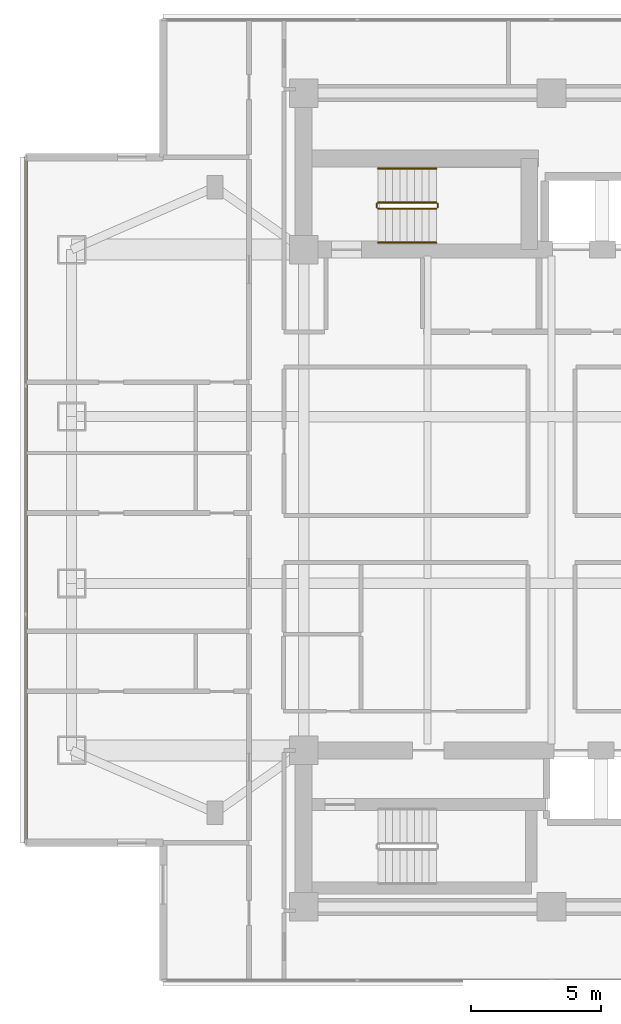
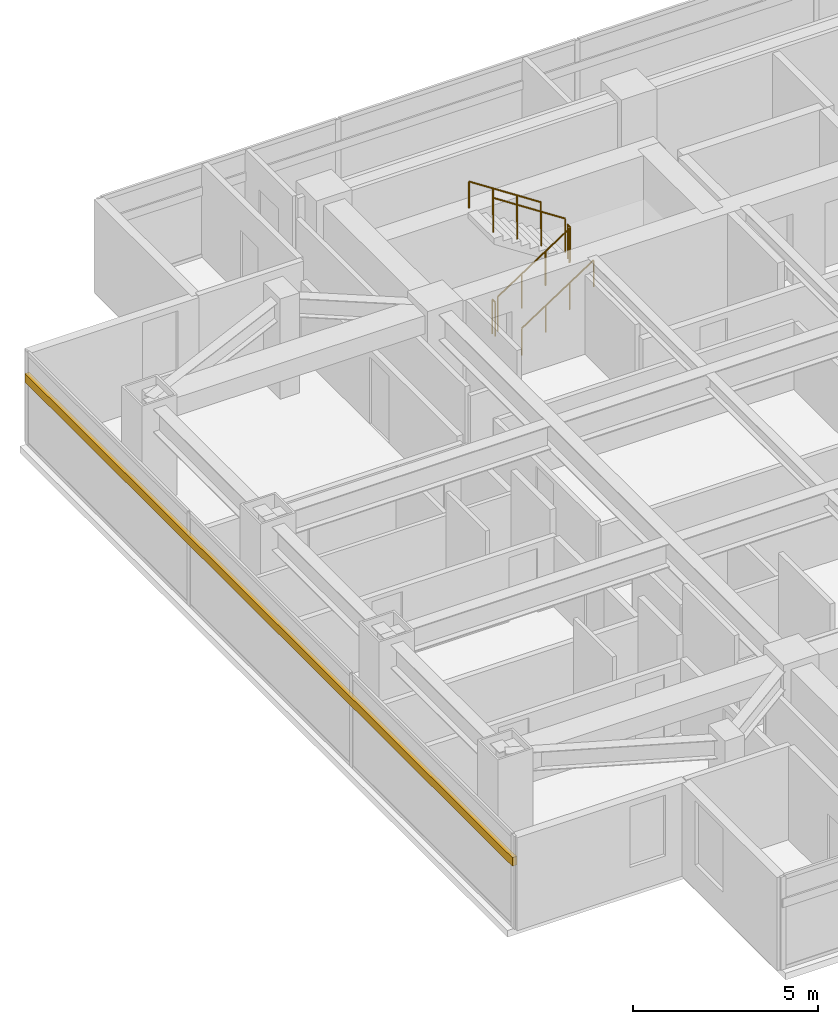
# One storey, part 22 of 26: 6 railings, 1 shading device.
"""IFC4 building model written with IfcOpenShell, lengths in metres."""

from ifc_helpers import new_model, si_unit, direction, frame, origin, origin_2d, place, context, subcontext, project, spatial, rectangle, circle, extrude, material, material_profile, profile_set, type_object, element, save


model = new_model("IFC4")

# Units and contexts
model_context = context("Model", 3, precision=1e-05, world=origin(), true_north=direction((0.0, 1.0)))
body_context = subcontext(model_context, "Body", "Model", "MODEL_VIEW")
ifc_project = project(units=[si_unit("LENGTHUNIT", "METRE"), si_unit("AREAUNIT", "SQUARE_METRE"), si_unit("VOLUMEUNIT", "CUBIC_METRE"), si_unit("PLANEANGLEUNIT", "RADIAN"), si_unit("MASSUNIT", "GRAM", prefix="KILO")], contexts=[model_context])

# Site, building, storey
site_placement = place(None, origin())
site = spatial("IfcSite", under=ifc_project, at=site_placement, CompositionType="ELEMENT")
building_placement = place(site_placement, origin())
building = spatial("IfcBuilding", under=site, at=building_placement, Name="Mirazonda Arch Towers", CompositionType="ELEMENT")
storey_placement = place(building_placement, frame((0.0, 0.0, 121.39990234375)))
storey = spatial("IfcBuildingStorey", under=building, at=storey_placement, Name="L34", CompositionType="ELEMENT", Elevation=121.39990234375)

# Shading device
ifc_material_1 = material(Name="Kiln-Fired Architectural Terracotta", Category="masonry")
ifc_material_profile = material_profile(ifc_material_1, rectangle(XDim=0.139892578125, YDim=0.280029296875, at=origin_2d()), Name="TERRA-BAG-140x280")
ifc_profile_set = profile_set([ifc_material_profile], Name="Kiln-Fired Architectural Terracotta")
shading_device_type = type_object("IfcShadingDeviceType", Name="BAGUETTE-3", PredefinedType="USERDEFINED", material=ifc_profile_set)
shading_device_placement = place(storey_placement, frame((0.340087890625, 41.14794921875, 2.203369140625), z_axis=(0.0, -1.0, 0.0), x_axis=(1.0, 0.0, 0.0)))
element("IfcShadingDevice", 1, at=shading_device_placement, inside=storey, type_object=shading_device_type, Name="L34 Glazed Terracotta Sun-Screen Baguette CW-L34-T1-W", ObjectType="BAGUETTE", PredefinedType="USERDEFINED", context=body_context, shape_type="SweptSolid", body=[
    extrude(rectangle(XDim=0.139892578125, YDim=0.280029296875, at=origin_2d()), origin(), (0.0, 0.0, 1.0), 26.2958984375),
])

# Railings
ifc_material_2 = material(Name="Architectural Brushed Steel S355", Category="steel")
railing_type_1 = type_object("IfcRailingType", Name="GUARD-STAIR-1120", PredefinedType="GUARDRAIL", material=ifc_material_2)
railing_1_placement = place(storey_placement, frame((13.85009765625, 39.169921875, 0.183349609375)))
element("IfcRailing", 2, at=railing_1_placement, inside=storey, type_object=railing_type_1, Name="L34 ST-T1N stair guard 1", PredefinedType="GUARDRAIL", context=body_context, shape_type="SweptSolid", body=[
    extrude(circle(Radius=0.02392578125, at=origin_2d()), frame((0.0, 0.0, 1.1259765625), z_axis=(0.836595146698, 0.0, 0.547821650285), x_axis=(0.0, 1.0, 0.0)), (0.0, 0.0, 1.0), 2.677490234375),
    extrude(circle(Radius=0.02099609375, at=origin_2d()), origin(), (0.0, 0.0, 1.0), 1.101806640625),
    extrude(circle(Radius=0.02099609375, at=origin_2d()), frame((0.74658203125, 0.0, 0.489013671875)), (0.0, 0.0, 1.0), 1.101806640625),
    extrude(circle(Radius=0.02099609375, at=origin_2d()), frame((1.493408203125, 0.0, 0.977783203125)), (0.0, 0.0, 1.0), 1.101806640625),
    extrude(circle(Radius=0.02099609375, at=origin_2d()), frame((2.239990234375, 0.0, 1.466796875)), (0.0, 0.0, 1.0), 1.101806640625),
])
railing_2_placement = place(storey_placement, frame((16.139892578125, 39.219970703125, 1.650146484375)))
element("IfcRailing", 3, at=railing_2_placement, inside=storey, type_object=railing_type_1, Name="L34 ST-T1N stair guard 2", PredefinedType="GUARDRAIL", context=body_context, shape_type="SweptSolid", body=[
    extrude(circle(Radius=0.02392578125, at=origin_2d()), frame((0.0, 0.0, 1.1259765625), z_axis=(0.0, 1.0, 0.0), x_axis=(-1.0, 0.0, 0.0)), (0.0, 0.0, 1.0), 0.14013671875),
    extrude(circle(Radius=0.02099609375, at=origin_2d()), origin(), (0.0, 0.0, 1.0), 1.101806640625),
    extrude(circle(Radius=0.02099609375, at=origin_2d()), frame((0.0, 0.14013671875, 0.0)), (0.0, 0.0, 1.0), 1.101806640625),
])
railing_3_placement = place(storey_placement, frame((16.090087890625, 39.409912109375, 1.83349609375)))
element("IfcRailing", 4, at=railing_3_placement, inside=storey, type_object=railing_type_1, Name="L34 ST-T1N stair guard 3", PredefinedType="GUARDRAIL", context=body_context, shape_type="SweptSolid", body=[
    extrude(circle(Radius=0.02392578125, at=origin_2d()), frame((0.0, 0.0, 1.1259765625), z_axis=(-0.836636935527, 0.0, 0.547757827979), x_axis=(0.0, -1.0, 0.0)), (0.0, 0.0, 1.0), 2.677490234375),
    extrude(circle(Radius=0.02099609375, at=origin_2d()), origin(), (0.0, 0.0, 1.0), 1.101806640625),
    extrude(circle(Radius=0.02099609375, at=origin_2d()), frame((-0.74658203125, 0.0, 0.48876953125)), (0.0, 0.0, 1.0), 1.101806640625),
    extrude(circle(Radius=0.02099609375, at=origin_2d()), frame((-1.493408203125, 0.0, 0.977783203125)), (0.0, 0.0, 1.0), 1.101806640625),
    extrude(circle(Radius=0.02099609375, at=origin_2d()), frame((-2.239990234375, 0.0, 1.466552734375)), (0.0, 0.0, 1.0), 1.101806640625),
])
railing_4_placement = place(storey_placement, frame((13.800048828125, 39.219970703125, 0.0)))
element("IfcRailing", 5, at=railing_4_placement, inside=storey, type_object=railing_type_1, Name="L34 ST-T1N stair guard 4", PredefinedType="GUARDRAIL", context=body_context, shape_type="SweptSolid", body=[
    extrude(circle(Radius=0.02392578125, at=origin_2d()), frame((0.0, 0.0, 1.1259765625), z_axis=(0.0, 1.0, 0.0), x_axis=(-1.0, 0.0, 0.0)), (0.0, 0.0, 1.0), 0.14013671875),
    extrude(circle(Radius=0.02099609375, at=origin_2d()), origin(), (0.0, 0.0, 1.0), 1.101806640625),
    extrude(circle(Radius=0.02099609375, at=origin_2d()), frame((0.0, 0.14013671875, 0.0)), (0.0, 0.0, 1.0), 1.101806640625),
])
railing_type_2 = type_object("IfcRailingType", Name="HANDRAIL-915", PredefinedType="HANDRAIL", material=ifc_material_2)
railing_5_placement = place(storey_placement, frame((13.85009765625, 37.8701171875, 0.183349609375)))
element("IfcRailing", 6, at=railing_5_placement, inside=storey, type_object=railing_type_2, Name="L34 ST-T1N stair handrail 1", PredefinedType="HANDRAIL", context=body_context, shape_type="SweptSolid", body=[
    extrude(circle(Radius=0.02392578125, at=origin_2d()), frame((0.0, 0.0, 0.8759765625), z_axis=(0.836595146698, 0.0, 0.547821650285), x_axis=(0.0, 1.0, 0.0)), (0.0, 0.0, 1.0), 2.677490234375),
    extrude(circle(Radius=0.02099609375, at=origin_2d()), origin(), (0.0, 0.0, 1.0), 0.851806640625),
    extrude(circle(Radius=0.02099609375, at=origin_2d()), frame((0.74658203125, 0.0, 0.489013671875)), (0.0, 0.0, 1.0), 0.851806640625),
    extrude(circle(Radius=0.02099609375, at=origin_2d()), frame((1.493408203125, 0.0, 0.977783203125)), (0.0, 0.0, 1.0), 0.851806640625),
    extrude(circle(Radius=0.02099609375, at=origin_2d()), frame((2.239990234375, 0.0, 1.466796875)), (0.0, 0.0, 1.0), 0.851806640625),
])
railing_6_placement = place(storey_placement, frame((16.090087890625, 40.7099609375, 1.83349609375)))
element("IfcRailing", 7, at=railing_6_placement, inside=storey, type_object=railing_type_2, Name="L34 ST-T1N stair handrail 2", PredefinedType="HANDRAIL", context=body_context, shape_type="SweptSolid", body=[
    extrude(circle(Radius=0.02392578125, at=origin_2d()), frame((0.0, 0.0, 0.8759765625), z_axis=(-0.836636935527, 0.0, 0.547757827979), x_axis=(0.0, -1.0, 0.0)), (0.0, 0.0, 1.0), 2.677490234375),
    extrude(circle(Radius=0.02099609375, at=origin_2d()), origin(), (0.0, 0.0, 1.0), 0.851806640625),
    extrude(circle(Radius=0.02099609375, at=origin_2d()), frame((-0.74658203125, 0.0, 0.48876953125)), (0.0, 0.0, 1.0), 0.851806640625),
    extrude(circle(Radius=0.02099609375, at=origin_2d()), frame((-1.493408203125, 0.0, 0.977783203125)), (0.0, 0.0, 1.0), 0.851806640625),
    extrude(circle(Radius=0.02099609375, at=origin_2d()), frame((-2.239990234375, 0.0, 1.466552734375)), (0.0, 0.0, 1.0), 0.851806640625),
])

save(model, "model.ifc")
